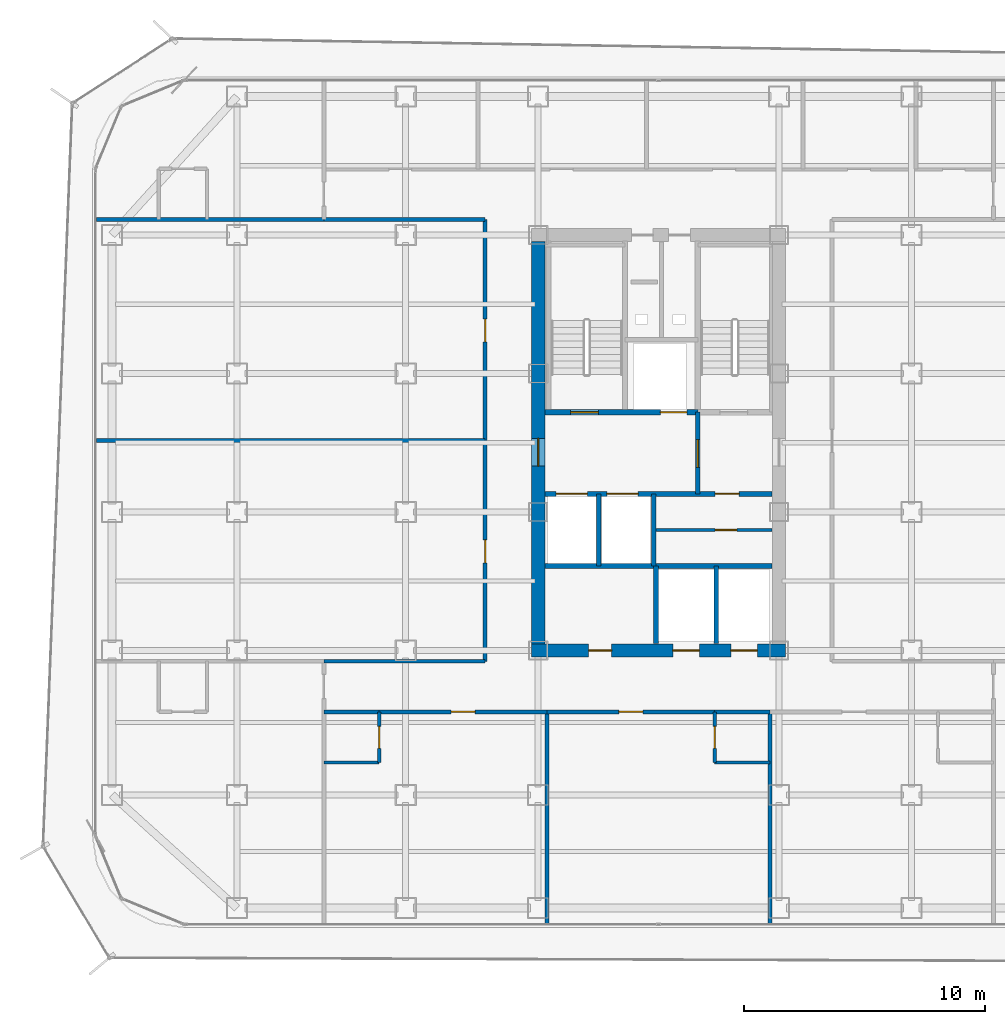
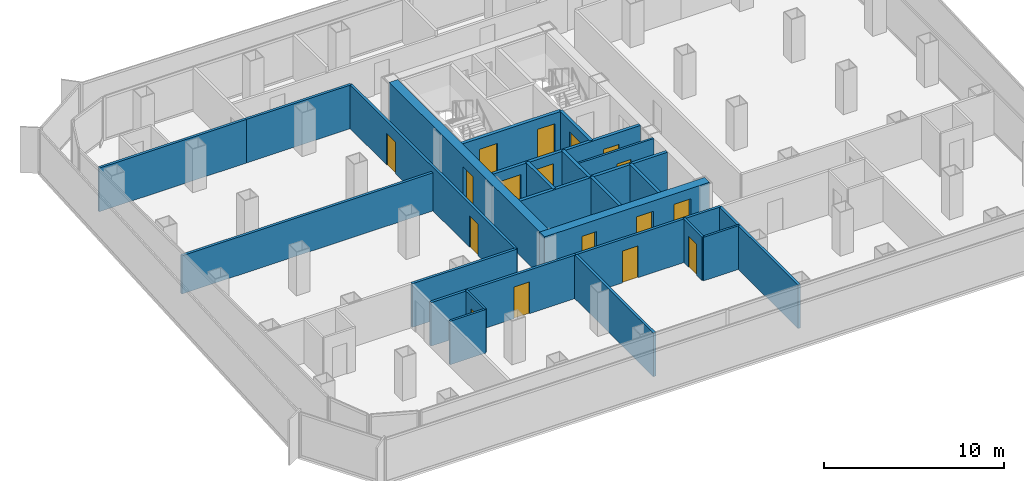
# One storey, part 16 of 21: 26 walls, 17 doors, 17 openings.
"""IFC4 building model written with IfcOpenShell, lengths in metres."""

from ifc_helpers import new_model, si_unit, direction, frame, frame_2d, origin, place, context, subcontext, project, spatial, rectangle, extrude, material, layer, layer_set, type_object, element, fill, save


model = new_model("IFC4")

# Units and contexts
model_context = context("Model", 3, precision=1e-05, world=origin(), true_north=direction((0.0, 1.0)))
body_context = subcontext(model_context, "Body", "Model", "MODEL_VIEW")
ifc_project = project(units=[si_unit("LENGTHUNIT", "METRE"), si_unit("AREAUNIT", "SQUARE_METRE"), si_unit("VOLUMEUNIT", "CUBIC_METRE"), si_unit("PLANEANGLEUNIT", "RADIAN"), si_unit("MASSUNIT", "GRAM", prefix="KILO")], contexts=[model_context])

# Site, building, storey
site_placement = place(None, origin())
site = spatial("IfcSite", under=ifc_project, at=site_placement, CompositionType="ELEMENT")
building_placement = place(site_placement, origin())
building = spatial("IfcBuilding", under=site, at=building_placement, Name="Kolveth Station Tower", CompositionType="ELEMENT")
storey_placement = place(building_placement, frame((0.0, 0.0, 124.699951171875)))
storey = spatial("IfcBuildingStorey", under=building, at=storey_placement, Name="L34", CompositionType="ELEMENT", Elevation=124.699951171875)

# Wall, openings, doors
ifc_material_1 = material(Name="Concrete C60/75", Category="concrete")
ifc_layer_1 = layer(ifc_material_1, 0.550048828125)
ifc_layer_set_1 = layer_set([ifc_layer_1], Name="Concrete C60/75")
wall_type_1 = type_object("IfcWallType", Name="Wall_CW-550", PredefinedType="SHEAR", material=ifc_layer_set_1)
wall_1_placement = place(storey_placement, frame((18.22509765625, 11.5, 0.0), z_axis=(0.0, 0.0, 1.0), x_axis=(1.0, 0.0, 0.0)))
wall_1 = element("IfcWall", 1, at=wall_1_placement, inside=storey, type_object=wall_type_1, Name="L34 Core RC Shear Wall S", PredefinedType="SHEAR", context=body_context, shape_type="SweptSolid", body=[
    extrude(rectangle(XDim=10.5498046875, YDim=0.550048828125, at=frame_2d((5.27490234375, 0.0))), origin(), (0.0, 0.0, 1.0), 2.949951171875),
])
opening_1_placement = place(wall_1_placement, frame((2.375, 0.0, 0.0)))
opening_1 = element("IfcOpeningElement", 2, at=opening_1_placement, cuts=wall_1, Name="Opening ID1", PredefinedType="OPENING", context=body_context, shape_type="SweptSolid", body=[
    extrude(rectangle(XDim=0.949951171875, YDim=2.14990234375, at=frame_2d((0.47509765625, 1.074951171875))), frame((0.0, 0.284912109375, 0.0), z_axis=(0.0, -1.0, 0.0), x_axis=(1.0, 0.0, 0.0)), (0.0, 0.0, 1.0), 0.570068359375),
])
opening_2_placement = place(wall_1_placement, frame((5.875, 0.0, 0.0)))
opening_2 = element("IfcOpeningElement", 3, at=opening_2_placement, cuts=wall_1, Name="Opening LD1", PredefinedType="OPENING", context=body_context, shape_type="SweptSolid", body=[
    extrude(rectangle(XDim=1.10009765625, YDim=2.25, at=frame_2d((0.550048828125, 1.125))), frame((0.0, 0.284912109375, 0.0), z_axis=(0.0, -1.0, 0.0), x_axis=(1.0, 0.0, 0.0)), (0.0, 0.0, 1.0), 0.570068359375),
])
opening_3_placement = place(wall_1_placement, frame((8.27490234375, 0.0, 0.0)))
opening_3 = element("IfcOpeningElement", 4, at=opening_3_placement, cuts=wall_1, Name="Opening LD1", PredefinedType="OPENING", context=body_context, shape_type="SweptSolid", body=[
    extrude(rectangle(XDim=1.10009765625, YDim=2.25, at=frame_2d((0.550048828125, 1.125))), frame((0.0, 0.284912109375, 0.0), z_axis=(0.0, -1.0, 0.0), x_axis=(1.0, 0.0, 0.0)), (0.0, 0.0, 1.0), 0.570068359375),
])
ifc_material_2 = material(Name="Acoustic hardwood leaf and aluminium frame", Category="wood")
door_type_1 = type_object("IfcDoorType", Name="Door_ID1", OperationType="NOTDEFINED", PredefinedType="DOOR", material=ifc_material_2)
door_1_placement = place(opening_1_placement, frame((0.949951171875, 0.0, 0.0), z_axis=(0.0, 0.0, 1.0), x_axis=(-1.0, 0.0, 0.0)))
door_1 = element("IfcDoor", 5, at=door_1_placement, inside=storey, type_object=door_type_1, Name="L34 Hotel Pantry Door", OperationType="SINGLE_SWING_LEFT", OverallHeight=2.14990234375, OverallWidth=0.949951171875, PredefinedType="DOOR", context=body_context, shape_type="SweptSolid", body=[
    extrude(rectangle(XDim=0.949951171875, YDim=2.14990234375, at=frame_2d((0.47509765625, 1.074951171875))), frame((0.0, 0.02490234375, 0.0), z_axis=(0.0, -1.0, 0.0), x_axis=(1.0, 0.0, 0.0)), (0.0, 0.0, 1.0), 0.050048828125),
])
fill(opening_1, door_1)
ifc_material_3 = material(Name="Brushed stainless steel sliding landing doors", Category="steel")
door_type_2 = type_object("IfcDoorType", Name="Door_LD1", OperationType="NOTDEFINED", PredefinedType="DOOR", material=ifc_material_3)
door_2_placement = place(opening_2_placement, frame((1.10009765625, 0.0, 0.0), z_axis=(0.0, 0.0, 1.0), x_axis=(-1.0, 0.0, 0.0)))
door_2 = element("IfcDoor", 6, at=door_2_placement, inside=storey, type_object=door_type_2, Name="L34 Lift PM1 Landing Door", OperationType="DOUBLE_DOOR_SLIDING", OverallHeight=2.25, OverallWidth=1.10009765625, PredefinedType="DOOR", context=body_context, shape_type="SweptSolid", body=[
    extrude(rectangle(XDim=1.10009765625, YDim=2.25, at=frame_2d((0.550048828125, 1.125))), frame((0.0, 0.02490234375, 0.0), z_axis=(0.0, -1.0, 0.0), x_axis=(1.0, 0.0, 0.0)), (0.0, 0.0, 1.0), 0.050048828125),
])
fill(opening_2, door_2)
door_3_placement = place(opening_3_placement, frame((1.10009765625, 0.0, 0.0), z_axis=(0.0, 0.0, 1.0), x_axis=(-1.0, 0.0, 0.0)))
door_3 = element("IfcDoor", 7, at=door_3_placement, inside=storey, type_object=door_type_2, Name="L34 Lift PH1 Landing Door", OperationType="DOUBLE_DOOR_SLIDING", OverallHeight=2.25, OverallWidth=1.10009765625, PredefinedType="DOOR", context=body_context, shape_type="SweptSolid", body=[
    extrude(rectangle(XDim=1.10009765625, YDim=2.25, at=frame_2d((0.550048828125, 1.125))), frame((0.0, 0.02490234375, 0.0), z_axis=(0.0, -1.0, 0.0), x_axis=(1.0, 0.0, 0.0)), (0.0, 0.0, 1.0), 0.050048828125),
])
fill(opening_3, door_3)

# Wall, opening, door
wall_2_placement = place(storey_placement, frame((18.5, 11.77490234375, 0.0), z_axis=(0.0, 0.0, 1.0), x_axis=(0.0, 1.0, 0.0)))
wall_2 = element("IfcWall", 8, at=wall_2_placement, inside=storey, type_object=wall_type_1, Name="L34 Core RC Shear Wall W", PredefinedType="SHEAR", context=body_context, shape_type="SweptSolid", body=[
    extrude(rectangle(XDim=16.7001953125, YDim=0.550048828125, at=frame_2d((8.35009765625, 0.0))), origin(), (0.0, 0.0, 1.0), 2.949951171875),
])
opening_4_placement = place(wall_2_placement, frame((7.375, 0.0, 0.0)))
opening_4 = element("IfcOpeningElement", 9, at=opening_4_placement, cuts=wall_2, Name="Opening FD1", PredefinedType="OPENING", context=body_context, shape_type="SweptSolid", body=[
    extrude(rectangle(XDim=1.14990234375, YDim=2.199951171875, at=frame_2d((0.574951171875, 1.10009765625))), frame((0.0, 0.284912109375, 0.0), z_axis=(0.0, -1.0, 0.0), x_axis=(1.0, 0.0, 0.0)), (0.0, 0.0, 1.0), 0.570068359375),
])
ifc_material_4 = material(Name="Fire-rated Steel S355 leaf and frame", Category="steel")
door_type_3 = type_object("IfcDoorType", Name="Door_FD1", OperationType="NOTDEFINED", PredefinedType="DOOR", material=ifc_material_4)
door_4_placement = place(opening_4_placement, frame((1.14990234375, 0.0, 0.0), z_axis=(0.0, 0.0, 1.0), x_axis=(-1.0, 0.0, 0.0)))
door_4 = element("IfcDoor", 10, at=door_4_placement, inside=storey, type_object=door_type_3, Name="L34 West Corridor to Firefighting Lobby Door", OperationType="SINGLE_SWING_RIGHT", OverallHeight=2.199951171875, OverallWidth=1.14990234375, PredefinedType="DOOR", context=body_context, shape_type="SweptSolid", body=[
    extrude(rectangle(XDim=1.14990234375, YDim=2.199951171875, at=frame_2d((0.574951171875, 1.10009765625))), frame((0.0, 0.02490234375, 0.0), z_axis=(0.0, -1.0, 0.0), x_axis=(1.0, 0.0, 0.0)), (0.0, 0.0, 1.0), 0.050048828125),
])
fill(opening_4, door_4)

ifc_material_5 = material(Name="Moisture-resistant gypsum partition")
ifc_layer_2 = layer(ifc_material_5, 0.135009765625)
ifc_layer_set_2 = layer_set([ifc_layer_2], Name="Moisture-resistant gypsum partition")
wall_type_2 = type_object("IfcWallType", Name="Wall_IW-135", PredefinedType="PARTITIONING", material=ifc_layer_set_2)
wall_3_placement = place(storey_placement, frame((23.300048828125, 16.5, 0.0), z_axis=(0.0, 0.0, 1.0), x_axis=(1.0, 0.0, 0.0)))
wall_3 = element("IfcWall", 11, at=wall_3_placement, inside=storey, type_object=wall_type_2, Name="L34 Partition Wall WL-L34-CB-H1", PredefinedType="PARTITIONING", context=body_context, shape_type="SweptSolid", body=[
    extrude(rectangle(XDim=4.9150390625, YDim=0.135009765625, at=frame_2d((2.45751953125, 0.0))), origin(), (0.0, 0.0, 1.0), 2.949951171875),
])
opening_5_placement = place(wall_3_placement, frame((2.550048828125, 0.0, 0.0)))
opening_5 = element("IfcOpeningElement", 12, at=opening_5_placement, cuts=wall_3, Name="Opening RD1", PredefinedType="OPENING", context=body_context, shape_type="SweptSolid", body=[
    extrude(rectangle(XDim=0.89990234375, YDim=2.050048828125, at=frame_2d((0.449951171875, 1.02490234375))), frame((0.0, 0.077392578125, 0.0), z_axis=(0.0, -1.0, 0.0), x_axis=(1.0, 0.0, 0.0)), (0.0, 0.0, 1.0), 0.155029296875),
])
ifc_material_6 = material(Name="Fire-rated Steel S355 riser access leaf", Category="steel")
door_type_4 = type_object("IfcDoorType", Name="Door_RD1", OperationType="NOTDEFINED", PredefinedType="DOOR", material=ifc_material_6)
door_5_placement = place(opening_5_placement, frame((0.89990234375, 0.0, 0.0), z_axis=(0.0, 0.0, 1.0), x_axis=(-1.0, 0.0, 0.0)))
door_5 = element("IfcDoor", 13, at=door_5_placement, inside=storey, type_object=door_type_4, Name="L34 Core Equipment Store Door", OperationType="SINGLE_SWING_LEFT", OverallHeight=2.050048828125, OverallWidth=0.89990234375, PredefinedType="DOOR", context=body_context, shape_type="SweptSolid", body=[
    extrude(rectangle(XDim=0.89990234375, YDim=2.050048828125, at=frame_2d((0.449951171875, 1.02490234375))), frame((0.0, 0.02490234375, 0.0), z_axis=(0.0, -1.0, 0.0), x_axis=(1.0, 0.0, 0.0)), (0.0, 0.0, 1.0), 0.050048828125),
])
fill(opening_5, door_5)

wall_4_placement = place(storey_placement, frame((11.89990234375, 6.85009765625, 0.0), z_axis=(0.0, 0.0, 1.0), x_axis=(0.0, 1.0, 0.0)))
wall_4 = element("IfcWall", 14, at=wall_4_placement, inside=storey, type_object=wall_type_2, Name="L34 Partition Wall WL-L34-HS1-BV", PredefinedType="PARTITIONING", context=body_context, shape_type="SweptSolid", body=[
    extrude(rectangle(XDim=2.099853515625, YDim=0.135009765625, at=frame_2d((1.0498046875, 0.0))), origin(), (0.0, 0.0, 1.0), 2.949951171875),
])
opening_6_placement = place(wall_4_placement, frame((0.580078125, 0.0, 0.0)))
opening_6 = element("IfcOpeningElement", 15, at=opening_6_placement, cuts=wall_4, Name="Opening ID2", PredefinedType="OPENING", context=body_context, shape_type="SweptSolid", body=[
    extrude(rectangle(XDim=0.919921875, YDim=2.10009765625, at=frame_2d((0.4599609375, 1.050048828125))), frame((0.0, 0.077392578125, 0.0), z_axis=(0.0, -1.0, 0.0), x_axis=(1.0, 0.0, 0.0)), (0.0, 0.0, 1.0), 0.155029296875),
])
ifc_material_7 = material(Name="Moisture-resistant hardwood leaf", Category="wood")
door_type_5 = type_object("IfcDoorType", Name="Door_ID2", OperationType="NOTDEFINED", PredefinedType="DOOR", material=ifc_material_7)
door_6_placement = place(opening_6_placement, frame((0.919921875, 0.0, 0.0), z_axis=(0.0, 0.0, 1.0), x_axis=(-1.0, 0.0, 0.0)))
door_6 = element("IfcDoor", 16, at=door_6_placement, inside=storey, type_object=door_type_5, Name="L34 Hotel Corner Suite HS1 En-Suite Door", OperationType="SINGLE_SWING_LEFT", OverallHeight=2.10009765625, OverallWidth=0.919921875, PredefinedType="DOOR", context=body_context, shape_type="SweptSolid", body=[
    extrude(rectangle(XDim=0.919921875, YDim=2.10009765625, at=frame_2d((0.4599609375, 1.050048828125))), frame((0.0, 0.02490234375, 0.0), z_axis=(0.0, -1.0, 0.0), x_axis=(1.0, 0.0, 0.0)), (0.0, 0.0, 1.0), 0.050048828125),
])
fill(opening_6, door_6)

# Wall
wall_5_placement = place(storey_placement, frame((9.60009765625, 6.85009765625, 0.0), z_axis=(0.0, 0.0, 1.0), x_axis=(1.0, 0.0, 0.0)))
element("IfcWall", 17, at=wall_5_placement, inside=storey, type_object=wall_type_2, Name="L34 Partition Wall WL-L34-HS1-BH", PredefinedType="PARTITIONING", context=body_context, shape_type="SweptSolid", body=[
    extrude(rectangle(XDim=2.2998046875, YDim=0.135009765625, at=frame_2d((1.14990234375, 0.0))), origin(), (0.0, 0.0, 1.0), 2.949951171875),
])

# Wall, opening, door
wall_6_placement = place(storey_placement, frame((25.8330078125, 6.85009765625, 0.0), z_axis=(0.0, 0.0, 1.0), x_axis=(0.0, 1.0, 0.0)))
wall_6 = element("IfcWall", 18, at=wall_6_placement, inside=storey, type_object=wall_type_2, Name="L34 Partition Wall WL-L34-HS2-BV", PredefinedType="PARTITIONING", context=body_context, shape_type="SweptSolid", body=[
    extrude(rectangle(XDim=2.099853515625, YDim=0.135009765625, at=frame_2d((1.0498046875, 0.0))), origin(), (0.0, 0.0, 1.0), 2.949951171875),
])
opening_7_placement = place(wall_6_placement, frame((0.580078125, 0.0, 0.0)))
opening_7 = element("IfcOpeningElement", 19, at=opening_7_placement, cuts=wall_6, Name="Opening ID2", PredefinedType="OPENING", context=body_context, shape_type="SweptSolid", body=[
    extrude(rectangle(XDim=0.919921875, YDim=2.10009765625, at=frame_2d((0.4599609375, 1.050048828125))), frame((0.0, 0.077392578125, 0.0), z_axis=(0.0, -1.0, 0.0), x_axis=(1.0, 0.0, 0.0)), (0.0, 0.0, 1.0), 0.155029296875),
])
door_7_placement = place(opening_7_placement, origin())
door_7 = element("IfcDoor", 20, at=door_7_placement, inside=storey, type_object=door_type_5, Name="L34 Hotel Corner Suite HS2 En-Suite Door", OperationType="SINGLE_SWING_LEFT", OverallHeight=2.10009765625, OverallWidth=0.919921875, PredefinedType="DOOR", context=body_context, shape_type="SweptSolid", body=[
    extrude(rectangle(XDim=0.919921875, YDim=2.10009765625, at=frame_2d((0.4599609375, 1.050048828125))), frame((0.0, 0.02490234375, 0.0), z_axis=(0.0, -1.0, 0.0), x_axis=(1.0, 0.0, 0.0)), (0.0, 0.0, 1.0), 0.050048828125),
])
fill(opening_7, door_7)

# Walls
wall_7_placement = place(storey_placement, frame((25.8330078125, 6.85009765625, 0.0), z_axis=(0.0, 0.0, 1.0), x_axis=(1.0, 0.0, 0.0)))
element("IfcWall", 21, at=wall_7_placement, inside=storey, type_object=wall_type_2, Name="L34 Partition Wall WL-L34-HS2-BH", PredefinedType="PARTITIONING", context=body_context, shape_type="SweptSolid", body=[
    extrude(rectangle(XDim=2.300048828125, YDim=0.135009765625, at=frame_2d((1.14990234375, 0.0))), origin(), (0.0, 0.0, 1.0), 2.949951171875),
])
ifc_material_8 = material(Name="Acoustic double-stud gypsum partition")
ifc_layer_3 = layer(ifc_material_8, 0.1650390625)
ifc_layer_set_3 = layer_set([ifc_layer_3], Name="Acoustic double-stud gypsum partition")
wall_type_3 = type_object("IfcWallType", Name="Wall_IW-165", PredefinedType="PARTITIONING", material=ifc_layer_set_3)
for number, where, z_axis, x_axis, name in (
    (22, (9.60009765625, 11.050048828125, 0.0), (0.0, 0.0, 1.0), (1.0, 0.0, 0.0), "L34 Partition Wall WL-L34-HSWT"),
    (23, (9.60009765625, 29.39990234375, 0.0), (0.0, 0.0, 1.0), (1.0, 0.0, 0.0), "L34 Partition Wall WL-L34-HNWB"),
):
    element("IfcWall", number, at=place(storey_placement, frame(where, z_axis=z_axis, x_axis=x_axis)), inside=storey, type_object=wall_type_3, Name=name, PredefinedType="PARTITIONING", context=body_context, shape_type="SweptSolid", body=[
        extrude(rectangle(XDim=6.699951171875, YDim=0.1650390625, at=frame_2d((3.35009765625, 0.0))), origin(), (0.0, 0.0, 1.0), 2.949951171875),
    ])

# Wall, openings, doors
wall_8_placement = place(storey_placement, frame((16.300048828125, 11.050048828125, 0.0), z_axis=(0.0, 0.0, 1.0), x_axis=(0.0, 1.0, 0.0)))
wall_8 = element("IfcWall", 24, at=wall_8_placement, inside=storey, type_object=wall_type_3, Name="L34 Partition Wall WL-L34-HW", PredefinedType="PARTITIONING", context=body_context, shape_type="SweptSolid", body=[
    extrude(rectangle(XDim=18.349853515625, YDim=0.1650390625, at=frame_2d((9.1748046875, 0.0))), origin(), (0.0, 0.0, 1.0), 2.949951171875),
])
opening_8_placement = place(wall_8_placement, frame((4.0869140625, 0.0, 0.0)))
opening_8 = element("IfcOpeningElement", 25, at=opening_8_placement, cuts=wall_8, Name="Opening ID1", PredefinedType="OPENING", context=body_context, shape_type="SweptSolid", body=[
    extrude(rectangle(XDim=0.949951171875, YDim=2.14990234375, at=frame_2d((0.47509765625, 1.074951171875))), frame((0.0, 0.092529296875, 0.0), z_axis=(0.0, -1.0, 0.0), x_axis=(1.0, 0.0, 0.0)), (0.0, 0.0, 1.0), 0.18505859375),
])
opening_9_placement = place(wall_8_placement, frame((13.261962890625, 0.0, 0.0)))
opening_9 = element("IfcOpeningElement", 26, at=opening_9_placement, cuts=wall_8, Name="Opening ID1", PredefinedType="OPENING", context=body_context, shape_type="SweptSolid", body=[
    extrude(rectangle(XDim=0.949951171875, YDim=2.14990234375, at=frame_2d((0.47509765625, 1.074951171875))), frame((0.0, 0.092529296875, 0.0), z_axis=(0.0, -1.0, 0.0), x_axis=(1.0, 0.0, 0.0)), (0.0, 0.0, 1.0), 0.18505859375),
])
door_8_placement = place(opening_8_placement, frame((0.949951171875, 0.0, 0.0), z_axis=(0.0, 0.0, 1.0), x_axis=(-1.0, 0.0, 0.0)))
door_8 = element("IfcDoor", 27, at=door_8_placement, inside=storey, type_object=door_type_1, Name="L34 Wellness Massage Suite 1 Door", OperationType="SINGLE_SWING_LEFT", OverallHeight=2.14990234375, OverallWidth=0.949951171875, PredefinedType="DOOR", context=body_context, shape_type="SweptSolid", body=[
    extrude(rectangle(XDim=0.949951171875, YDim=2.14990234375, at=frame_2d((0.47509765625, 1.074951171875))), frame((0.0, 0.02490234375, 0.0), z_axis=(0.0, -1.0, 0.0), x_axis=(1.0, 0.0, 0.0)), (0.0, 0.0, 1.0), 0.050048828125),
])
fill(opening_8, door_8)
door_9_placement = place(opening_9_placement, frame((0.949951171875, 0.0, 0.0), z_axis=(0.0, 0.0, 1.0), x_axis=(-1.0, 0.0, 0.0)))
door_9 = element("IfcDoor", 28, at=door_9_placement, inside=storey, type_object=door_type_1, Name="L34 Wellness Massage Suite 2 Door", OperationType="SINGLE_SWING_LEFT", OverallHeight=2.14990234375, OverallWidth=0.949951171875, PredefinedType="DOOR", context=body_context, shape_type="SweptSolid", body=[
    extrude(rectangle(XDim=0.949951171875, YDim=2.14990234375, at=frame_2d((0.47509765625, 1.074951171875))), frame((0.0, 0.02490234375, 0.0), z_axis=(0.0, -1.0, 0.0), x_axis=(1.0, 0.0, 0.0)), (0.0, 0.0, 1.0), 0.050048828125),
])
fill(opening_9, door_9)

# Walls
wall_9_placement = place(storey_placement, frame((0.159912109375, 29.39990234375, 0.0), z_axis=(0.0, 0.0, 1.0), x_axis=(1.0, 0.0, 0.0)))
element("IfcWall", 29, at=wall_9_placement, inside=storey, type_object=wall_type_3, Name="L34 Partition Wall WL-L34-WM2", PredefinedType="PARTITIONING", context=body_context, shape_type="SweptSolid", body=[
    extrude(rectangle(XDim=9.440185546875, YDim=0.1650390625, at=frame_2d((4.72021484375, 0.0))), origin(), (0.0, 0.0, 1.0), 2.949951171875),
])
wall_10_placement = place(storey_placement, frame((9.60009765625, 8.949951171875, 0.0), z_axis=(0.0, 0.0, 1.0), x_axis=(1.0, 0.0, 0.0)))
element("IfcWall", 30, at=wall_10_placement, inside=storey, type_object=wall_type_3, Name="L34 Partition Wall WL-L34-HS1-BCOR", PredefinedType="PARTITIONING", context=body_context, shape_type="SweptSolid", body=[
    extrude(rectangle(XDim=2.2998046875, YDim=0.1650390625, at=frame_2d((1.14990234375, 0.0))), origin(), (0.0, 0.0, 1.0), 2.949951171875),
])

# Wall, opening, door
wall_11_placement = place(storey_placement, frame((11.89990234375, 8.949951171875, 0.0), z_axis=(0.0, 0.0, 1.0), x_axis=(1.0, 0.0, 0.0)))
wall_11 = element("IfcWall", 31, at=wall_11_placement, inside=storey, type_object=wall_type_3, Name="L34 Partition Wall WL-L34-HS1-RCOR", PredefinedType="PARTITIONING", context=body_context, shape_type="SweptSolid", body=[
    extrude(rectangle(XDim=6.967041015625, YDim=0.1650390625, at=frame_2d((3.4833984375, 0.0))), origin(), (0.0, 0.0, 1.0), 2.949951171875),
])
opening_10_placement = place(wall_11_placement, frame((2.98291015625, 0.0, 0.0)))
opening_10 = element("IfcOpeningElement", 32, at=opening_10_placement, cuts=wall_11, Name="Opening FD3", PredefinedType="OPENING", context=body_context, shape_type="SweptSolid", body=[
    extrude(rectangle(XDim=1.0, YDim=2.14990234375, at=frame_2d((0.5, 1.074951171875))), frame((0.0, 0.092529296875, 0.0), z_axis=(0.0, -1.0, 0.0), x_axis=(1.0, 0.0, 0.0)), (0.0, 0.0, 1.0), 0.18505859375),
])
ifc_material_9 = material(Name="Fire-rated hardwood leaf and aluminium frame", Category="wood")
door_type_6 = type_object("IfcDoorType", Name="Door_FD3", OperationType="NOTDEFINED", PredefinedType="DOOR", material=ifc_material_9)
door_10_placement = place(opening_10_placement, frame((1.0, 0.0, 0.0), z_axis=(0.0, 0.0, 1.0), x_axis=(-1.0, 0.0, 0.0)))
door_10 = element("IfcDoor", 33, at=door_10_placement, inside=storey, type_object=door_type_6, Name="L34 Hotel Corner Suite HS1 Entrance Door", OperationType="SINGLE_SWING_LEFT", OverallHeight=2.14990234375, OverallWidth=1.0, PredefinedType="DOOR", context=body_context, shape_type="SweptSolid", body=[
    extrude(rectangle(XDim=1.0, YDim=2.14990234375, at=frame_2d((0.5, 1.074951171875))), frame((0.0, 0.02490234375, 0.0), z_axis=(0.0, -1.0, 0.0), x_axis=(1.0, 0.0, 0.0)), (0.0, 0.0, 1.0), 0.050048828125),
])
fill(opening_10, door_10)

# Walls
wall_12_placement = place(storey_placement, frame((18.866943359375, 0.159912109375, 0.0), z_axis=(0.0, 0.0, 1.0), x_axis=(0.0, 1.0, 0.0)))
element("IfcWall", 34, at=wall_12_placement, inside=storey, type_object=wall_type_3, Name="L34 Partition Wall WL-L34-HSK-1", PredefinedType="PARTITIONING", context=body_context, shape_type="SweptSolid", body=[
    extrude(rectangle(XDim=8.7900390625, YDim=0.1650390625, at=frame_2d((4.39501953125, 0.0))), origin(), (0.0, 0.0, 1.0), 2.949951171875),
])
wall_13_placement = place(storey_placement, frame((25.8330078125, 8.949951171875, 0.0), z_axis=(0.0, 0.0, 1.0), x_axis=(1.0, 0.0, 0.0)))
element("IfcWall", 35, at=wall_13_placement, inside=storey, type_object=wall_type_3, Name="L34 Partition Wall WL-L34-HS2-BCOR", PredefinedType="PARTITIONING", context=body_context, shape_type="SweptSolid", body=[
    extrude(rectangle(XDim=2.300048828125, YDim=0.1650390625, at=frame_2d((1.14990234375, 0.0))), origin(), (0.0, 0.0, 1.0), 2.949951171875),
])

# Wall, opening, door
wall_14_placement = place(storey_placement, frame((18.866943359375, 8.949951171875, 0.0), z_axis=(0.0, 0.0, 1.0), x_axis=(1.0, 0.0, 0.0)))
wall_14 = element("IfcWall", 36, at=wall_14_placement, inside=storey, type_object=wall_type_3, Name="L34 Partition Wall WL-L34-HS2-RCOR", PredefinedType="PARTITIONING", context=body_context, shape_type="SweptSolid", body=[
    extrude(rectangle(XDim=6.966064453125, YDim=0.1650390625, at=frame_2d((3.48291015625, 0.0))), origin(), (0.0, 0.0, 1.0), 2.949951171875),
])
opening_11_placement = place(wall_14_placement, frame((2.98291015625, 0.0, 0.0)))
opening_11 = element("IfcOpeningElement", 37, at=opening_11_placement, cuts=wall_14, Name="Opening FD3", PredefinedType="OPENING", context=body_context, shape_type="SweptSolid", body=[
    extrude(rectangle(XDim=1.0, YDim=2.14990234375, at=frame_2d((0.5, 1.074951171875))), frame((0.0, 0.092529296875, 0.0), z_axis=(0.0, -1.0, 0.0), x_axis=(1.0, 0.0, 0.0)), (0.0, 0.0, 1.0), 0.18505859375),
])
door_11_placement = place(opening_11_placement, frame((1.0, 0.0, 0.0), z_axis=(0.0, 0.0, 1.0), x_axis=(-1.0, 0.0, 0.0)))
door_11 = element("IfcDoor", 38, at=door_11_placement, inside=storey, type_object=door_type_6, Name="L34 Hotel Corner Suite HS2 Entrance Door", OperationType="SINGLE_SWING_RIGHT", OverallHeight=2.14990234375, OverallWidth=1.0, PredefinedType="DOOR", context=body_context, shape_type="SweptSolid", body=[
    extrude(rectangle(XDim=1.0, YDim=2.14990234375, at=frame_2d((0.5, 1.074951171875))), frame((0.0, 0.02490234375, 0.0), z_axis=(0.0, -1.0, 0.0), x_axis=(1.0, 0.0, 0.0)), (0.0, 0.0, 1.0), 0.050048828125),
])
fill(opening_11, door_11)

# Walls
wall_15_placement = place(storey_placement, frame((28.133056640625, 0.159912109375, 0.0), z_axis=(0.0, 0.0, 1.0), x_axis=(0.0, 1.0, 0.0)))
element("IfcWall", 39, at=wall_15_placement, inside=storey, type_object=wall_type_3, Name="L34 Partition Wall WL-L34-HSK-2", PredefinedType="PARTITIONING", context=body_context, shape_type="SweptSolid", body=[
    extrude(rectangle(XDim=8.7900390625, YDim=0.1650390625, at=frame_2d((4.39501953125, 0.0))), origin(), (0.0, 0.0, 1.0), 2.949951171875),
])
wall_16_placement = place(storey_placement, frame((0.159912109375, 20.22509765625, 0.0), z_axis=(0.0, 0.0, 1.0), x_axis=(1.0, 0.0, 0.0)))
element("IfcWall", 40, at=wall_16_placement, inside=storey, type_object=wall_type_3, Name="L34 Partition Wall WL-L34-HMW-P1", PredefinedType="PARTITIONING", context=body_context, shape_type="SweptSolid", body=[
    extrude(rectangle(XDim=16.14013671875, YDim=0.1650390625, at=frame_2d((8.070068359375, 0.0))), origin(), (0.0, 0.0, 1.0), 2.5830078125),
])

# Wall, opening, door
ifc_material_10 = material(Name="Acoustic fire-rated gypsum blockwork", Category="masonry")
ifc_layer_4 = layer(ifc_material_10, 0.199951171875)
ifc_layer_set_4 = layer_set([ifc_layer_4], Name="Acoustic fire-rated gypsum blockwork")
wall_type_4 = type_object("IfcWallType", Name="Wall_IW-200", PredefinedType="PARTITIONING", material=ifc_layer_set_4)
wall_17_placement = place(storey_placement, frame((25.1298828125, 18.0, 0.0), z_axis=(0.0, 0.0, 1.0), x_axis=(0.0, 1.0, 0.0)))
wall_17 = element("IfcWall", 41, at=wall_17_placement, inside=storey, type_object=wall_type_4, Name="L34 Partition Wall WL-L34-FFL-E", PredefinedType="PARTITIONING", context=body_context, shape_type="SweptSolid", body=[
    extrude(rectangle(XDim=3.389892578125, YDim=0.199951171875, at=frame_2d((1.69482421875, 0.0))), origin(), (0.0, 0.0, 1.0), 2.949951171875),
])
opening_12_placement = place(wall_17_placement, frame((1.10009765625, 0.0, 0.0)))
opening_12 = element("IfcOpeningElement", 42, at=opening_12_placement, cuts=wall_17, Name="Opening FD1", PredefinedType="OPENING", context=body_context, shape_type="SweptSolid", body=[
    extrude(rectangle(XDim=1.14990234375, YDim=2.199951171875, at=frame_2d((0.574951171875, 1.10009765625))), frame((0.0, 0.10986328125, 0.0), z_axis=(0.0, -1.0, 0.0), x_axis=(1.0, 0.0, 0.0)), (0.0, 0.0, 1.0), 0.219970703125),
])
door_12_placement = place(opening_12_placement, origin())
door_12 = element("IfcDoor", 43, at=door_12_placement, inside=storey, type_object=door_type_3, Name="L34 Firefighting to Stair Lobby Door", OperationType="SINGLE_SWING_LEFT", OverallHeight=2.199951171875, OverallWidth=1.14990234375, PredefinedType="DOOR", context=body_context, shape_type="SweptSolid", body=[
    extrude(rectangle(XDim=1.14990234375, YDim=2.199951171875, at=frame_2d((0.574951171875, 1.10009765625))), frame((0.0, 0.02490234375, 0.0), z_axis=(0.0, -1.0, 0.0), x_axis=(1.0, 0.0, 0.0)), (0.0, 0.0, 1.0), 0.050048828125),
])
fill(opening_12, door_12)

# Wall, openings, doors
wall_18_placement = place(storey_placement, frame((18.784912109375, 18.0, 0.0), z_axis=(0.0, 0.0, 1.0), x_axis=(1.0, 0.0, 0.0)))
wall_18 = element("IfcWall", 44, at=wall_18_placement, inside=storey, type_object=wall_type_4, Name="L34 Partition Wall WL-L34-FFL-S", PredefinedType="PARTITIONING", context=body_context, shape_type="SweptSolid", body=[
    extrude(rectangle(XDim=9.43017578125, YDim=0.199951171875, at=frame_2d((4.715087890625, 0.0))), origin(), (0.0, 0.0, 1.0), 2.949951171875),
])
opening_13_placement = place(wall_18_placement, frame((0.465087890625, 0.0, 0.0)))
opening_13 = element("IfcOpeningElement", 45, at=opening_13_placement, cuts=wall_18, Name="Opening LD2", PredefinedType="OPENING", context=body_context, shape_type="SweptSolid", body=[
    extrude(rectangle(XDim=1.300048828125, YDim=2.300048828125, at=frame_2d((0.64990234375, 1.14990234375))), frame((0.0, 0.10986328125, 0.0), z_axis=(0.0, -1.0, 0.0), x_axis=(1.0, 0.0, 0.0)), (0.0, 0.0, 1.0), 0.219970703125),
])
opening_14_placement = place(wall_18_placement, frame((2.56494140625, 0.0, 0.0)))
opening_14 = element("IfcOpeningElement", 46, at=opening_14_placement, cuts=wall_18, Name="Opening LD2", PredefinedType="OPENING", context=body_context, shape_type="SweptSolid", body=[
    extrude(rectangle(XDim=1.300048828125, YDim=2.300048828125, at=frame_2d((0.64990234375, 1.14990234375))), frame((0.0, 0.10986328125, 0.0), z_axis=(0.0, -1.0, 0.0), x_axis=(1.0, 0.0, 0.0)), (0.0, 0.0, 1.0), 0.219970703125),
])
opening_15_placement = place(wall_18_placement, frame((7.06494140625, 0.0, 0.0)))
opening_15 = element("IfcOpeningElement", 47, at=opening_15_placement, cuts=wall_18, Name="Opening FD3", PredefinedType="OPENING", context=body_context, shape_type="SweptSolid", body=[
    extrude(rectangle(XDim=1.0, YDim=2.14990234375, at=frame_2d((0.5, 1.074951171875))), frame((0.0, 0.10986328125, 0.0), z_axis=(0.0, -1.0, 0.0), x_axis=(1.0, 0.0, 0.0)), (0.0, 0.0, 1.0), 0.219970703125),
])
door_13_placement = place(opening_15_placement, frame((1.0, 0.0, 0.0), z_axis=(0.0, 0.0, 1.0), x_axis=(-1.0, 0.0, 0.0)))
door_13 = element("IfcDoor", 48, at=door_13_placement, inside=storey, type_object=door_type_6, Name="L34 Housekeeping and Linen Room Door", OperationType="SINGLE_SWING_RIGHT", OverallHeight=2.14990234375, OverallWidth=1.0, PredefinedType="DOOR", context=body_context, shape_type="SweptSolid", body=[
    extrude(rectangle(XDim=1.0, YDim=2.14990234375, at=frame_2d((0.5, 1.074951171875))), frame((0.0, 0.02490234375, 0.0), z_axis=(0.0, -1.0, 0.0), x_axis=(1.0, 0.0, 0.0)), (0.0, 0.0, 1.0), 0.050048828125),
])
fill(opening_15, door_13)
ifc_material_11 = material(Name="Firefighting stainless steel sliding landing doors", Category="steel")
door_type_7 = type_object("IfcDoorType", Name="Door_LD2", OperationType="NOTDEFINED", PredefinedType="DOOR", material=ifc_material_11)
door_14_placement = place(opening_13_placement, origin())
door_14 = element("IfcDoor", 49, at=door_14_placement, inside=storey, type_object=door_type_7, Name="L34 Firefighting Lift FF1 Landing Door", OperationType="DOUBLE_DOOR_SLIDING", OverallHeight=2.300048828125, OverallWidth=1.300048828125, PredefinedType="DOOR", context=body_context, shape_type="SweptSolid", body=[
    extrude(rectangle(XDim=1.300048828125, YDim=2.300048828125, at=frame_2d((0.64990234375, 1.14990234375))), frame((0.0, 0.02490234375, 0.0), z_axis=(0.0, -1.0, 0.0), x_axis=(1.0, 0.0, 0.0)), (0.0, 0.0, 1.0), 0.050048828125),
])
fill(opening_13, door_14)
door_15_placement = place(opening_14_placement, origin())
door_15 = element("IfcDoor", 50, at=door_15_placement, inside=storey, type_object=door_type_7, Name="L34 Firefighting Lift FF2 Landing Door", OperationType="DOUBLE_DOOR_SLIDING", OverallHeight=2.300048828125, OverallWidth=1.300048828125, PredefinedType="DOOR", context=body_context, shape_type="SweptSolid", body=[
    extrude(rectangle(XDim=1.300048828125, YDim=2.300048828125, at=frame_2d((0.64990234375, 1.14990234375))), frame((0.0, 0.02490234375, 0.0), z_axis=(0.0, -1.0, 0.0), x_axis=(1.0, 0.0, 0.0)), (0.0, 0.0, 1.0), 0.050048828125),
])
fill(opening_14, door_15)

# Walls
for number, where, z_axis, x_axis, name in (
    (51, (21.02001953125, 15.0, 0.0), (0.0, 0.0, 1.0), (0.0, 1.0, 0.0), "L34 Partition Wall WL-L34-FF12"),
    (52, (23.300048828125, 15.0, 0.0), (0.0, 0.0, 1.0), (0.0, 1.0, 0.0), "L34 Partition Wall WL-L34-FF2E"),
):
    element("IfcWall", number, at=place(storey_placement, frame(where, z_axis=z_axis, x_axis=x_axis)), inside=storey, type_object=wall_type_4, Name=name, PredefinedType="PARTITIONING", context=body_context, shape_type="SweptSolid", body=[
        extrude(rectangle(XDim=3.0, YDim=0.199951171875, at=frame_2d((1.5, 0.0))), origin(), (0.0, 0.0, 1.0), 2.949951171875),
    ])
wall_19_placement = place(storey_placement, frame((18.784912109375, 15.0, 0.0), z_axis=(0.0, 0.0, 1.0), x_axis=(1.0, 0.0, 0.0)))
element("IfcWall", 53, at=wall_19_placement, inside=storey, type_object=wall_type_4, Name="L34 Partition Wall WL-L34-BOH-S", PredefinedType="PARTITIONING", context=body_context, shape_type="SweptSolid", body=[
    extrude(rectangle(XDim=9.43017578125, YDim=0.199951171875, at=frame_2d((4.715087890625, 0.0))), origin(), (0.0, 0.0, 1.0), 2.949951171875),
])
for number, where, z_axis, x_axis, name in (
    (54, (23.39990234375, 11.784912109375, 0.0), (0.0, 0.0, 1.0), (0.0, 1.0, 0.0), "L34 Partition Wall WL-L34-PL2E"),
    (55, (25.89990234375, 11.784912109375, 0.0), (0.0, 0.0, 1.0), (0.0, 1.0, 0.0), "L34 Partition Wall WL-L34-PMPH"),
):
    element("IfcWall", number, at=place(storey_placement, frame(where, z_axis=z_axis, x_axis=x_axis)), inside=storey, type_object=wall_type_4, Name=name, PredefinedType="PARTITIONING", context=body_context, shape_type="SweptSolid", body=[
        extrude(rectangle(XDim=3.215087890625, YDim=0.199951171875, at=frame_2d((1.607421875, 0.0))), origin(), (0.0, 0.0, 1.0), 2.949951171875),
    ])

# Wall, openings, doors
ifc_material_12 = material(Name="Concrete C40/50", Category="concrete")
ifc_layer_5 = layer(ifc_material_12, 0.219970703125)
ifc_layer_set_5 = layer_set([ifc_layer_5], Name="Concrete C40/50")
wall_type_5 = type_object("IfcWallType", Name="Wall_IW-220", PredefinedType="SOLIDWALL", material=ifc_layer_set_5)
wall_20_placement = place(storey_placement, frame((18.784912109375, 21.389892578125, 0.0), z_axis=(0.0, 0.0, 1.0), x_axis=(1.0, 0.0, 0.0)))
wall_20 = element("IfcWall", 56, at=wall_20_placement, inside=storey, type_object=wall_type_5, Name="L34 Stair Shaft Wall WL-L34-ST1-S", PredefinedType="SOLIDWALL", context=body_context, shape_type="SweptSolid", body=[
    extrude(rectangle(XDim=6.344970703125, YDim=0.219970703125, at=frame_2d((3.17236328125, 0.0))), origin(), (0.0, 0.0, 1.0), 2.949951171875),
])
opening_16_placement = place(wall_20_placement, frame((1.06494140625, 0.0, 0.0)))
opening_16 = element("IfcOpeningElement", 57, at=opening_16_placement, cuts=wall_20, Name="Opening FD1", PredefinedType="OPENING", context=body_context, shape_type="SweptSolid", body=[
    extrude(rectangle(XDim=1.14990234375, YDim=2.199951171875, at=frame_2d((0.574951171875, 1.10009765625))), frame((0.0, 0.119873046875, 0.0), z_axis=(0.0, -1.0, 0.0), x_axis=(1.0, 0.0, 0.0)), (0.0, 0.0, 1.0), 0.239990234375),
])
opening_17_placement = place(wall_20_placement, frame((4.794921875, 0.0, 0.0)))
opening_17 = element("IfcOpeningElement", 58, at=opening_17_placement, cuts=wall_20, Name="Opening LD1", PredefinedType="OPENING", context=body_context, shape_type="SweptSolid", body=[
    extrude(rectangle(XDim=1.10009765625, YDim=2.25, at=frame_2d((0.550048828125, 1.125))), frame((0.0, 0.119873046875, 0.0), z_axis=(0.0, -1.0, 0.0), x_axis=(1.0, 0.0, 0.0)), (0.0, 0.0, 1.0), 0.239990234375),
])
door_16_placement = place(opening_16_placement, frame((1.14990234375, 0.0, 0.0), z_axis=(0.0, 0.0, 1.0), x_axis=(-1.0, 0.0, 0.0)))
door_16 = element("IfcDoor", 59, at=door_16_placement, inside=storey, type_object=door_type_3, Name="L34 Stair ST1 Fire Door", OperationType="SINGLE_SWING_LEFT", OverallHeight=2.199951171875, OverallWidth=1.14990234375, PredefinedType="DOOR", context=body_context, shape_type="SweptSolid", body=[
    extrude(rectangle(XDim=1.14990234375, YDim=2.199951171875, at=frame_2d((0.574951171875, 1.10009765625))), frame((0.0, 0.02490234375, 0.0), z_axis=(0.0, -1.0, 0.0), x_axis=(1.0, 0.0, 0.0)), (0.0, 0.0, 1.0), 0.050048828125),
])
fill(opening_16, door_16)
door_17_placement = place(opening_17_placement, frame((1.10009765625, 0.0, 0.0), z_axis=(0.0, 0.0, 1.0), x_axis=(-1.0, 0.0, 0.0)))
door_17 = element("IfcDoor", 60, at=door_17_placement, inside=storey, type_object=door_type_2, Name="L34 Service Lift SV1 Landing Door", OperationType="DOUBLE_DOOR_SLIDING", OverallHeight=2.25, OverallWidth=1.10009765625, PredefinedType="DOOR", context=body_context, shape_type="SweptSolid", body=[
    extrude(rectangle(XDim=1.10009765625, YDim=2.25, at=frame_2d((0.550048828125, 1.125))), frame((0.0, 0.02490234375, 0.0), z_axis=(0.0, -1.0, 0.0), x_axis=(1.0, 0.0, 0.0)), (0.0, 0.0, 1.0), 0.050048828125),
])
fill(opening_17, door_17)

save(model, "model.ifc")
